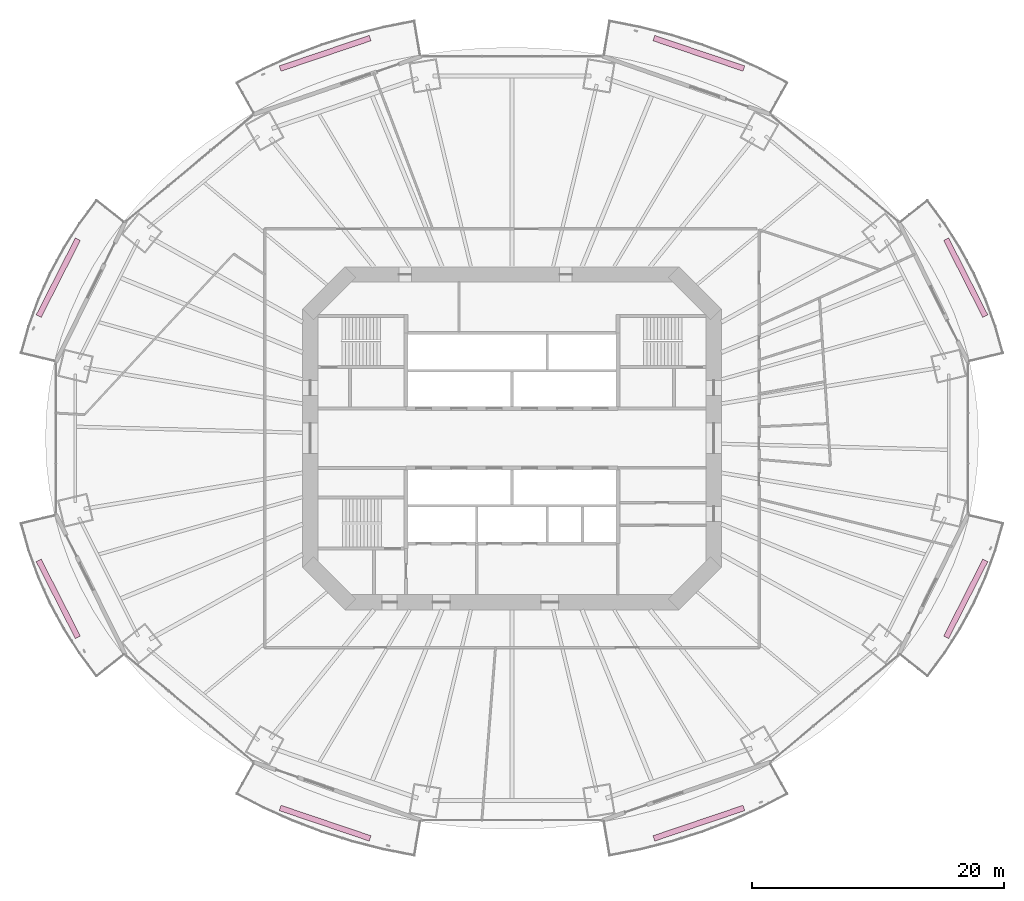
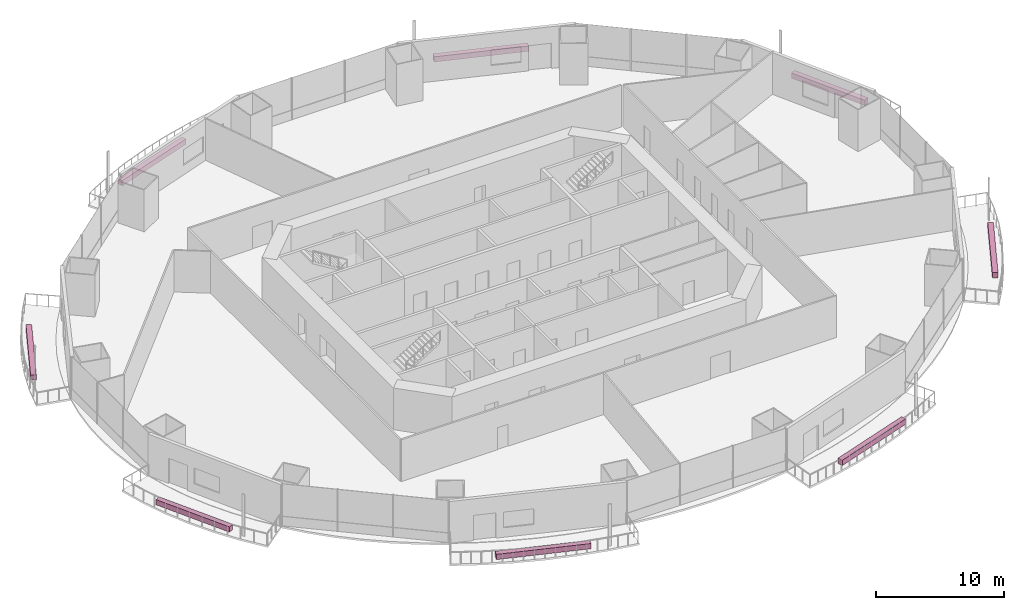
# One storey, part 23 of 23: 8 furnishings.
"""IFC4 building model written with IfcOpenShell, lengths in metres."""

from ifc_helpers import new_model, si_unit, direction, frame, origin, origin_2d, place, context, subcontext, project, spatial, rectangle, extrude, material, type_object, element, save


model = new_model("IFC4")

# Units and contexts
model_context = context("Model", 3, precision=1e-05, world=origin(), true_north=direction((0.0, 1.0)))
body_context = subcontext(model_context, "Body", "Model", "MODEL_VIEW")
ifc_project = project(units=[si_unit("LENGTHUNIT", "METRE"), si_unit("AREAUNIT", "SQUARE_METRE"), si_unit("VOLUMEUNIT", "CUBIC_METRE"), si_unit("PLANEANGLEUNIT", "RADIAN"), si_unit("MASSUNIT", "GRAM", prefix="KILO")], contexts=[model_context])

# Site, building, storey
site_placement = place(None, origin())
site = spatial("IfcSite", under=ifc_project, at=site_placement, CompositionType="ELEMENT")
building_placement = place(site_placement, origin())
building = spatial("IfcBuilding", under=site, at=building_placement, Name="Marenthal Gate Tower", CompositionType="ELEMENT")
storey_placement = place(building_placement, frame((0.0, 0.0, 41.300048828125)))
storey = spatial("IfcBuildingStorey", under=building, at=storey_placement, Name="L06", CompositionType="ELEMENT", Elevation=41.300048828125)

# Furnishings
ifc_material = material(Name="Planting soil and foliage", Category="planting")
furnishing_element_type = type_object("IfcFurnishingElementType", Name="Balcony PLANTER trough", material=ifc_material)
furnishing_1_placement = place(storey_placement, frame((35.97607421875, 12.739013671875, -0.0400390625), z_axis=(0.0, 0.0, 1.0), x_axis=(-0.453436703077, 0.891288480966, 0.0)))
element("IfcFurnishingElement", 1, at=furnishing_1_placement, inside=storey, type_object=furnishing_element_type, Name="Balcony PLANTER L06 bay 1", ObjectType="PLANTER", context=body_context, shape_type="SweptSolid", body=[
    extrude(rectangle(XDim=6.84423828125, YDim=0.449951171875, at=origin_2d()), origin(), (0.0, 0.0, 1.0), 0.5),
])
for number, where, z_axis, x_axis, name in (
    (2, (14.8193359375, 30.52294921875, -0.0400390625), (0.0, 0.0, 1.0), (-0.947262810404, 0.320457747646, 0.0), "Balcony PLANTER L06 bay 3"),
    (3, (-14.8193359375, 30.52294921875, -0.0400390625), (0.0, 0.0, 1.0), (-0.947262810404, -0.320457747646, 0.0), "Balcony PLANTER L06 bay 5"),
):
    element("IfcFurnishingElement", number, at=place(storey_placement, frame(where, z_axis=z_axis, x_axis=x_axis)), inside=storey, type_object=furnishing_element_type, Name=name, ObjectType="PLANTER", context=body_context, shape_type="SweptSolid", body=[
        extrude(rectangle(XDim=7.5400390625, YDim=0.449951171875, at=origin_2d()), origin(), (0.0, 0.0, 1.0), 0.5),
    ])
for number, where, z_axis, x_axis, name in (
    (4, (-35.97607421875, 12.739013671875, -0.0400390625), (0.0, 0.0, 1.0), (-0.453436703077, -0.891288480966, 0.0), "Balcony PLANTER L06 bay 7"),
    (5, (-35.97607421875, -12.739013671875, -0.0400390625), (0.0, 0.0, 1.0), (0.453436703077, -0.891288480966, 0.0), "Balcony PLANTER L06 bay 9"),
):
    element("IfcFurnishingElement", number, at=place(storey_placement, frame(where, z_axis=z_axis, x_axis=x_axis)), inside=storey, type_object=furnishing_element_type, Name=name, ObjectType="PLANTER", context=body_context, shape_type="SweptSolid", body=[
        extrude(rectangle(XDim=6.84423828125, YDim=0.449951171875, at=origin_2d()), origin(), (0.0, 0.0, 1.0), 0.5),
    ])
for number, where, z_axis, x_axis, name in (
    (6, (-14.8193359375, -30.52294921875, -0.0400390625), (0.0, 0.0, 1.0), (0.947262810404, -0.320457747646, 0.0), "Balcony PLANTER L06 bay 11"),
    (7, (14.8193359375, -30.52294921875, -0.0400390625), (0.0, 0.0, 1.0), (0.947262810404, 0.320457747646, 0.0), "Balcony PLANTER L06 bay 13"),
):
    element("IfcFurnishingElement", number, at=place(storey_placement, frame(where, z_axis=z_axis, x_axis=x_axis)), inside=storey, type_object=furnishing_element_type, Name=name, ObjectType="PLANTER", context=body_context, shape_type="SweptSolid", body=[
        extrude(rectangle(XDim=7.5400390625, YDim=0.449951171875, at=origin_2d()), origin(), (0.0, 0.0, 1.0), 0.5),
    ])
furnishing_2_placement = place(storey_placement, frame((35.97607421875, -12.739013671875, -0.0400390625), z_axis=(0.0, 0.0, 1.0), x_axis=(0.453436703077, 0.891288480966, 0.0)))
element("IfcFurnishingElement", 8, at=furnishing_2_placement, inside=storey, type_object=furnishing_element_type, Name="Balcony PLANTER L06 bay 15", ObjectType="PLANTER", context=body_context, shape_type="SweptSolid", body=[
    extrude(rectangle(XDim=6.84423828125, YDim=0.449951171875, at=origin_2d()), origin(), (0.0, 0.0, 1.0), 0.5),
])

save(model, "model.ifc")
